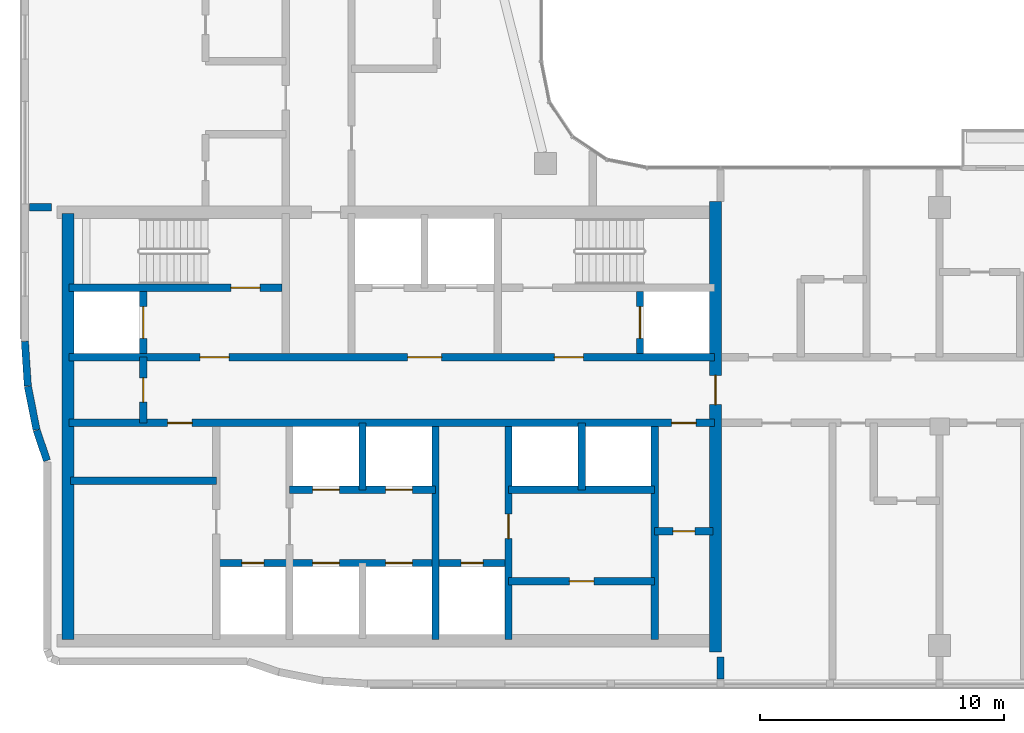
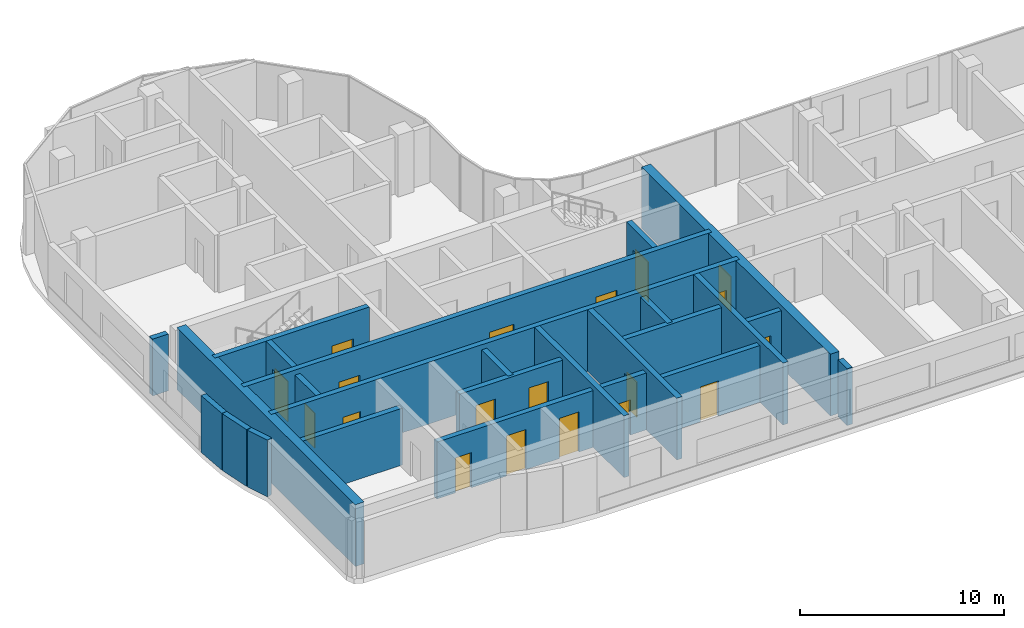
# One storey, part 9 of 19: 24 walls, 19 doors, 19 openings.
"""IFC4 building model written with IfcOpenShell, lengths in metres."""

from ifc_helpers import new_model, si_unit, direction, frame, frame_2d, origin, place, context, subcontext, project, spatial, rectangle, extrude, material, layer, layer_set, type_object, element, fill, save


model = new_model("IFC4")

# Units and contexts
model_context = context("Model", 3, precision=1e-05, world=origin(), true_north=direction((0.0, 1.0)))
body_context = subcontext(model_context, "Body", "Model", "MODEL_VIEW")
ifc_project = project(units=[si_unit("LENGTHUNIT", "METRE"), si_unit("AREAUNIT", "SQUARE_METRE"), si_unit("VOLUMEUNIT", "CUBIC_METRE"), si_unit("PLANEANGLEUNIT", "RADIAN"), si_unit("MASSUNIT", "GRAM", prefix="KILO")], contexts=[model_context])

# Site, building, storey
site_placement = place(None, origin())
site = spatial("IfcSite", under=ifc_project, at=site_placement, CompositionType="ELEMENT")
building_placement = place(site_placement, origin())
building = spatial("IfcBuilding", under=site, at=building_placement, Name="Ogive Portal Towers", CompositionType="ELEMENT")
storey_placement = place(building_placement, frame((0.0, 0.0, 199.5)))
storey = spatial("IfcBuildingStorey", under=building, at=storey_placement, Name="L49", CompositionType="ELEMENT", Elevation=199.5)

# Wall
ifc_material_1 = material(Name="Concrete C60/75", Category="concrete")
ifc_layer_1 = layer(ifc_material_1, 0.300048828125)
ifc_layer_set_1 = layer_set([ifc_layer_1], Name="CORE WALL 300 C60")
wall_type_1 = type_object("IfcWallType", Name="CORE WALL 300 C60", PredefinedType="SHEAR", material=ifc_layer_set_1)
wall_1_placement = place(storey_placement, frame((46.800048828125, 21.75, 0.0), z_axis=(0.0, 0.0, 1.0), x_axis=(0.0, 1.0, 0.0)))
element("IfcWall", 1, at=wall_1_placement, inside=storey, type_object=wall_type_1, Name="Core wall X3 L49", PredefinedType="SHEAR", context=body_context, shape_type="SweptSolid", body=[
    extrude(rectangle(XDim=8.75, YDim=0.300048828125, at=frame_2d((4.375, 0.0))), origin(), (0.0, 0.0, 1.0), 3.699951171875),
])

# Wall, opening, door
wall_2_placement = place(storey_placement, frame((49.800048828125, 21.75, 0.0), z_axis=(0.0, 0.0, 1.0), x_axis=(0.0, 1.0, 0.0)))
wall_2 = element("IfcWall", 2, at=wall_2_placement, inside=storey, type_object=wall_type_1, Name="Core wall X4 L49", PredefinedType="SHEAR", context=body_context, shape_type="SweptSolid", body=[
    extrude(rectangle(XDim=8.75, YDim=0.300048828125, at=frame_2d((4.375, 0.0))), origin(), (0.0, 0.0, 1.0), 3.699951171875),
])
opening_1_placement = place(wall_2_placement, frame((4.14990234375, 0.0, 0.0)))
opening_1 = element("IfcOpeningElement", 3, at=opening_1_placement, cuts=wall_2, Name="Opening D22-023", PredefinedType="OPENING", context=body_context, shape_type="SweptSolid", body=[
    extrude(rectangle(XDim=1.0, YDim=2.10009765625, at=frame_2d((0.5, 1.050048828125))), frame((0.0, 0.16015625, 0.0), z_axis=(0.0, -1.0, 0.0), x_axis=(1.0, 0.0, 0.0)), (0.0, 0.0, 1.0), 0.320068359375),
])
ifc_material_2 = material(Name="Steel fire door", Category="steel")
door_type_1 = type_object("IfcDoorType", Name="DT-SWING-1000x2100-FD90S", OperationType="SINGLE_SWING_LEFT", PredefinedType="DOOR", material=ifc_material_2)
door_1_placement = place(opening_1_placement, origin())
door_1 = element("IfcDoor", 4, at=door_1_placement, inside=storey, type_object=door_type_1, Name="Door D22-023", OperationType="SINGLE_SWING_LEFT", OverallHeight=2.10009765625, OverallWidth=1.0, PredefinedType="DOOR", context=body_context, shape_type="SweptSolid", body=[
    extrude(rectangle(XDim=1.0, YDim=2.10009765625, at=frame_2d((0.5, 1.050048828125))), frame((0.0, 0.02490234375, 0.0), z_axis=(0.0, -1.0, 0.0), x_axis=(1.0, 0.0, 0.0)), (0.0, 0.0, 1.0), 0.050048828125),
])
fill(opening_1, door_1)

# Wall
wall_3_placement = place(storey_placement, frame((55.800048828125, 21.75, 0.0), z_axis=(0.0, 0.0, 1.0), x_axis=(0.0, 1.0, 0.0)))
element("IfcWall", 5, at=wall_3_placement, inside=storey, type_object=wall_type_1, Name="Core wall X5 L49", PredefinedType="SHEAR", context=body_context, shape_type="SweptSolid", body=[
    extrude(rectangle(XDim=8.75, YDim=0.300048828125, at=frame_2d((4.375, 0.0))), origin(), (0.0, 0.0, 1.0), 3.699951171875),
])

# Wall, openings, doors
wall_4_placement = place(storey_placement, frame((31.75, 30.64990234375, 0.0), z_axis=(0.0, 0.0, 1.0), x_axis=(1.0, 0.0, 0.0)))
wall_4 = element("IfcWall", 6, at=wall_4_placement, inside=storey, type_object=wall_type_1, Name="Core wall Y1 L49", PredefinedType="SHEAR", context=body_context, shape_type="SweptSolid", body=[
    extrude(rectangle(XDim=26.5, YDim=0.300048828125, at=frame_2d((13.25, 0.0))), origin(), (0.0, 0.0, 1.0), 3.699951171875),
])
opening_2_placement = place(wall_4_placement, frame((24.75, 0.0, 0.0)))
opening_2 = element("IfcOpeningElement", 7, at=opening_2_placement, cuts=wall_4, Name="Opening D22-009", PredefinedType="OPENING", context=body_context, shape_type="SweptSolid", body=[
    extrude(rectangle(XDim=1.0, YDim=2.10009765625, at=frame_2d((0.5, 1.050048828125))), frame((0.0, 0.16015625, 0.0), z_axis=(0.0, -1.0, 0.0), x_axis=(1.0, 0.0, 0.0)), (0.0, 0.0, 1.0), 0.320068359375),
])
opening_3_placement = place(wall_4_placement, frame((4.050048828125, 0.0, 0.0)))
opening_3 = element("IfcOpeningElement", 8, at=opening_3_placement, cuts=wall_4, Name="Opening D22-021", PredefinedType="OPENING", context=body_context, shape_type="SweptSolid", body=[
    extrude(rectangle(XDim=1.0, YDim=2.10009765625, at=frame_2d((0.5, 1.050048828125))), frame((0.0, 0.16015625, 0.0), z_axis=(0.0, -1.0, 0.0), x_axis=(1.0, 0.0, 0.0)), (0.0, 0.0, 1.0), 0.320068359375),
])
door_2_placement = place(opening_2_placement, origin())
door_2 = element("IfcDoor", 9, at=door_2_placement, inside=storey, type_object=door_type_1, Name="Door D22-009", OperationType="SINGLE_SWING_LEFT", OverallHeight=2.10009765625, OverallWidth=1.0, PredefinedType="DOOR", context=body_context, shape_type="SweptSolid", body=[
    extrude(rectangle(XDim=1.0, YDim=2.10009765625, at=frame_2d((0.5, 1.050048828125))), frame((0.0, 0.02490234375, 0.0), z_axis=(0.0, -1.0, 0.0), x_axis=(1.0, 0.0, 0.0)), (0.0, 0.0, 1.0), 0.050048828125),
])
fill(opening_2, door_2)
door_3_placement = place(opening_3_placement, origin())
door_3 = element("IfcDoor", 10, at=door_3_placement, inside=storey, type_object=door_type_1, Name="Riser access door D22-021", OperationType="SINGLE_SWING_LEFT", OverallHeight=2.10009765625, OverallWidth=1.0, PredefinedType="DOOR", context=body_context, shape_type="SweptSolid", body=[
    extrude(rectangle(XDim=1.0, YDim=2.10009765625, at=frame_2d((0.5, 1.050048828125))), frame((0.0, 0.02490234375, 0.0), z_axis=(0.0, -1.0, 0.0), x_axis=(1.0, 0.0, 0.0)), (0.0, 0.0, 1.0), 0.050048828125),
])
fill(opening_3, door_3)

wall_5_placement = place(storey_placement, frame((31.75, 33.35009765625, 0.0), z_axis=(0.0, 0.0, 1.0), x_axis=(1.0, 0.0, 0.0)))
wall_5 = element("IfcWall", 11, at=wall_5_placement, inside=storey, type_object=wall_type_1, Name="Core wall Y2 L49", PredefinedType="SHEAR", context=body_context, shape_type="SweptSolid", body=[
    extrude(rectangle(XDim=26.5, YDim=0.300048828125, at=frame_2d((13.25, 0.0))), origin(), (0.0, 0.0, 1.0), 3.699951171875),
])
opening_4_placement = place(wall_5_placement, frame((13.89990234375, 0.0, 0.0)))
opening_4 = element("IfcOpeningElement", 12, at=opening_4_placement, cuts=wall_5, Name="Opening D22-002", PredefinedType="OPENING", context=body_context, shape_type="SweptSolid", body=[
    extrude(rectangle(XDim=1.39990234375, YDim=2.10009765625, at=frame_2d((0.699951171875, 1.050048828125))), frame((0.0, 0.16015625, 0.0), z_axis=(0.0, -1.0, 0.0), x_axis=(1.0, 0.0, 0.0)), (0.0, 0.0, 1.0), 0.320068359375),
])
opening_5_placement = place(wall_5_placement, frame((5.375, 0.0, 0.0)))
opening_5 = element("IfcOpeningElement", 13, at=opening_5_placement, cuts=wall_5, Name="Opening D22-003", PredefinedType="OPENING", context=body_context, shape_type="SweptSolid", body=[
    extrude(rectangle(XDim=1.199951171875, YDim=2.10009765625, at=frame_2d((0.60009765625, 1.050048828125))), frame((0.0, 0.16015625, 0.0), z_axis=(0.0, -1.0, 0.0), x_axis=(1.0, 0.0, 0.0)), (0.0, 0.0, 1.0), 0.320068359375),
])
opening_6_placement = place(wall_5_placement, frame((19.925048828125, 0.0, 0.0)))
opening_6 = element("IfcOpeningElement", 14, at=opening_6_placement, cuts=wall_5, Name="Opening D22-004", PredefinedType="OPENING", context=body_context, shape_type="SweptSolid", body=[
    extrude(rectangle(XDim=1.199951171875, YDim=2.10009765625, at=frame_2d((0.60009765625, 1.050048828125))), frame((0.0, 0.16015625, 0.0), z_axis=(0.0, -1.0, 0.0), x_axis=(1.0, 0.0, 0.0)), (0.0, 0.0, 1.0), 0.320068359375),
])
door_type_2 = type_object("IfcDoorType", Name="DT-SWING-1200x2100-FD90S", OperationType="SINGLE_SWING_LEFT", PredefinedType="DOOR", material=ifc_material_2)
door_4_placement = place(opening_5_placement, origin())
door_4 = element("IfcDoor", 15, at=door_4_placement, inside=storey, type_object=door_type_2, Name="Door D22-003", OperationType="SINGLE_SWING_LEFT", OverallHeight=2.10009765625, OverallWidth=1.199951171875, PredefinedType="DOOR", context=body_context, shape_type="SweptSolid", body=[
    extrude(rectangle(XDim=1.199951171875, YDim=2.10009765625, at=frame_2d((0.60009765625, 1.050048828125))), frame((0.0, 0.02490234375, 0.0), z_axis=(0.0, -1.0, 0.0), x_axis=(1.0, 0.0, 0.0)), (0.0, 0.0, 1.0), 0.050048828125),
])
fill(opening_5, door_4)
door_5_placement = place(opening_6_placement, origin())
door_5 = element("IfcDoor", 16, at=door_5_placement, inside=storey, type_object=door_type_2, Name="Door D22-004", OperationType="SINGLE_SWING_RIGHT", OverallHeight=2.10009765625, OverallWidth=1.199951171875, PredefinedType="DOOR", context=body_context, shape_type="SweptSolid", body=[
    extrude(rectangle(XDim=1.199951171875, YDim=2.10009765625, at=frame_2d((0.60009765625, 1.050048828125))), frame((0.0, 0.02490234375, 0.0), z_axis=(0.0, -1.0, 0.0), x_axis=(1.0, 0.0, 0.0)), (0.0, 0.0, 1.0), 0.050048828125),
])
fill(opening_6, door_5)
door_type_3 = type_object("IfcDoorType", Name="DT-SWING-1400x2100-FD90S", OperationType="SINGLE_SWING_LEFT", PredefinedType="DOOR", material=ifc_material_2)
door_6_placement = place(opening_4_placement, origin())
door_6 = element("IfcDoor", 17, at=door_6_placement, inside=storey, type_object=door_type_3, Name="Door D22-002", OperationType="SINGLE_SWING_RIGHT", OverallHeight=2.10009765625, OverallWidth=1.39990234375, PredefinedType="DOOR", context=body_context, shape_type="SweptSolid", body=[
    extrude(rectangle(XDim=1.39990234375, YDim=2.10009765625, at=frame_2d((0.699951171875, 1.050048828125))), frame((0.0, 0.02490234375, 0.0), z_axis=(0.0, -1.0, 0.0), x_axis=(1.0, 0.0, 0.0)), (0.0, 0.0, 1.0), 0.050048828125),
])
fill(opening_4, door_6)

# Wall, opening, door
wall_6_placement = place(storey_placement, frame((31.75, 36.199951171875, 0.0), z_axis=(0.0, 0.0, 1.0), x_axis=(1.0, 0.0, 0.0)))
wall_6 = element("IfcWall", 18, at=wall_6_placement, inside=storey, type_object=wall_type_1, Name="Core wall Y3a L49", PredefinedType="SHEAR", context=body_context, shape_type="SweptSolid", body=[
    extrude(rectangle(XDim=8.75, YDim=0.300048828125, at=frame_2d((4.375, 0.0))), origin(), (0.0, 0.0, 1.0), 3.699951171875),
])
opening_7_placement = place(wall_6_placement, frame((6.64990234375, 0.0, 0.0)))
opening_7 = element("IfcOpeningElement", 19, at=opening_7_placement, cuts=wall_6, Name="Opening D22-005", PredefinedType="OPENING", context=body_context, shape_type="SweptSolid", body=[
    extrude(rectangle(XDim=1.199951171875, YDim=2.10009765625, at=frame_2d((0.60009765625, 1.050048828125))), frame((0.0, 0.16015625, 0.0), z_axis=(0.0, -1.0, 0.0), x_axis=(1.0, 0.0, 0.0)), (0.0, 0.0, 1.0), 0.320068359375),
])
door_7_placement = place(opening_7_placement, origin())
door_7 = element("IfcDoor", 20, at=door_7_placement, inside=storey, type_object=door_type_2, Name="Door D22-005", OperationType="SINGLE_SWING_RIGHT", OverallHeight=2.10009765625, OverallWidth=1.199951171875, PredefinedType="DOOR", context=body_context, shape_type="SweptSolid", body=[
    extrude(rectangle(XDim=1.199951171875, YDim=2.10009765625, at=frame_2d((0.60009765625, 1.050048828125))), frame((0.0, 0.02490234375, 0.0), z_axis=(0.0, -1.0, 0.0), x_axis=(1.0, 0.0, 0.0)), (0.0, 0.0, 1.0), 0.050048828125),
])
fill(opening_7, door_7)

wall_7_placement = place(storey_placement, frame((34.800048828125, 33.5, 0.0), z_axis=(0.0, 0.0, 1.0), x_axis=(0.0, 1.0, 0.0)))
wall_7 = element("IfcWall", 21, at=wall_7_placement, inside=storey, type_object=wall_type_1, Name="Core wall X8 L49", PredefinedType="SHEAR", context=body_context, shape_type="SweptSolid", body=[
    extrude(rectangle(XDim=2.550048828125, YDim=0.300048828125, at=frame_2d((1.27490234375, 0.0))), origin(), (0.0, 0.0, 1.0), 3.699951171875),
])
opening_8_placement = place(wall_7_placement, frame((0.625, 0.0, 0.0)))
opening_8 = element("IfcOpeningElement", 22, at=opening_8_placement, cuts=wall_7, Name="Opening D22-019", PredefinedType="OPENING", context=body_context, shape_type="SweptSolid", body=[
    extrude(rectangle(XDim=1.300048828125, YDim=2.39990234375, at=frame_2d((0.64990234375, 1.199951171875))), frame((0.0, 0.16015625, 0.0), z_axis=(0.0, -1.0, 0.0), x_axis=(1.0, 0.0, 0.0)), (0.0, 0.0, 1.0), 0.320068359375),
])
ifc_material_3 = material(Name="Stainless steel", Category="steel")
door_type_4 = type_object("IfcDoorType", Name="DT-LD-1300x2400", OperationType="SLIDING_TO_LEFT", PredefinedType="DOOR", material=ifc_material_3)
door_8_placement = place(opening_8_placement, origin())
door_8 = element("IfcDoor", 23, at=door_8_placement, inside=storey, type_object=door_type_4, Name="Door D22-019", OperationType="SLIDING_TO_LEFT", OverallHeight=2.39990234375, OverallWidth=1.300048828125, PredefinedType="DOOR", context=body_context, shape_type="SweptSolid", body=[
    extrude(rectangle(XDim=1.300048828125, YDim=2.39990234375, at=frame_2d((0.64990234375, 1.199951171875))), frame((0.0, 0.02490234375, 0.0), z_axis=(0.0, -1.0, 0.0), x_axis=(1.0, 0.0, 0.0)), (0.0, 0.0, 1.0), 0.050048828125),
])
fill(opening_8, door_8)

wall_8_placement = place(storey_placement, frame((55.199951171875, 33.5, 0.0), z_axis=(0.0, 0.0, 1.0), x_axis=(0.0, 1.0, 0.0)))
wall_8 = element("IfcWall", 24, at=wall_8_placement, inside=storey, type_object=wall_type_1, Name="Core wall X10 L49", PredefinedType="SHEAR", context=body_context, shape_type="SweptSolid", body=[
    extrude(rectangle(XDim=2.550048828125, YDim=0.300048828125, at=frame_2d((1.27490234375, 0.0))), origin(), (0.0, 0.0, 1.0), 3.699951171875),
])
opening_9_placement = place(wall_8_placement, frame((0.625, 0.0, 0.0)))
opening_9 = element("IfcOpeningElement", 25, at=opening_9_placement, cuts=wall_8, Name="Opening D22-020", PredefinedType="OPENING", context=body_context, shape_type="SweptSolid", body=[
    extrude(rectangle(XDim=1.300048828125, YDim=2.39990234375, at=frame_2d((0.64990234375, 1.199951171875))), frame((0.0, 0.16015625, 0.0), z_axis=(0.0, -1.0, 0.0), x_axis=(1.0, 0.0, 0.0)), (0.0, 0.0, 1.0), 0.320068359375),
])
door_9_placement = place(opening_9_placement, origin())
door_9 = element("IfcDoor", 26, at=door_9_placement, inside=storey, type_object=door_type_4, Name="Door D22-020", OperationType="SLIDING_TO_LEFT", OverallHeight=2.39990234375, OverallWidth=1.300048828125, PredefinedType="DOOR", context=body_context, shape_type="SweptSolid", body=[
    extrude(rectangle(XDim=1.300048828125, YDim=2.39990234375, at=frame_2d((0.64990234375, 1.199951171875))), frame((0.0, 0.02490234375, 0.0), z_axis=(0.0, -1.0, 0.0), x_axis=(1.0, 0.0, 0.0)), (0.0, 0.0, 1.0), 0.050048828125),
])
fill(opening_9, door_9)

# Wall
ifc_layer_2 = layer(ifc_material_1, 0.5)
ifc_layer_set_2 = layer_set([ifc_layer_2], Name="CORE WALL 500 C60")
wall_type_2 = type_object("IfcWallType", Name="CORE WALL 500 C60", PredefinedType="SHEAR", material=ifc_layer_set_2)
wall_9_placement = place(storey_placement, frame((31.699951171875, 21.75, 0.0), z_axis=(0.0, 0.0, 1.0), x_axis=(0.0, 1.0, 0.0)))
element("IfcWall", 27, at=wall_9_placement, inside=storey, type_object=wall_type_2, Name="Core wall W L49", PredefinedType="SHEAR", context=body_context, shape_type="SweptSolid", body=[
    extrude(rectangle(XDim=17.5, YDim=0.5, at=frame_2d((8.75, 0.0))), origin(), (0.0, 0.0, 1.0), 3.699951171875),
])

# Wall, opening, door
wall_10_placement = place(storey_placement, frame((58.300048828125, 21.25, 0.0), z_axis=(0.0, 0.0, 1.0), x_axis=(0.0, 1.0, 0.0)))
wall_10 = element("IfcWall", 28, at=wall_10_placement, inside=storey, type_object=wall_type_2, Name="Core wall E L49", PredefinedType="SHEAR", context=body_context, shape_type="SweptSolid", body=[
    extrude(rectangle(XDim=18.5, YDim=0.5, at=frame_2d((9.25, 0.0))), origin(), (0.0, 0.0, 1.0), 3.699951171875),
])
opening_10_placement = place(wall_10_placement, frame((10.14990234375, 0.0, 0.0)))
opening_10 = element("IfcOpeningElement", 29, at=opening_10_placement, cuts=wall_10, Name="Opening D22-011", PredefinedType="OPENING", context=body_context, shape_type="SweptSolid", body=[
    extrude(rectangle(XDim=1.199951171875, YDim=2.10009765625, at=frame_2d((0.60009765625, 1.050048828125))), frame((0.0, 0.260009765625, 0.0), z_axis=(0.0, -1.0, 0.0), x_axis=(1.0, 0.0, 0.0)), (0.0, 0.0, 1.0), 0.52001953125),
])
door_10_placement = place(opening_10_placement, origin())
door_10 = element("IfcDoor", 30, at=door_10_placement, inside=storey, type_object=door_type_2, Name="Door D22-011", OperationType="SINGLE_SWING_LEFT", OverallHeight=2.10009765625, OverallWidth=1.199951171875, PredefinedType="DOOR", context=body_context, shape_type="SweptSolid", body=[
    extrude(rectangle(XDim=1.199951171875, YDim=2.10009765625, at=frame_2d((0.60009765625, 1.050048828125))), frame((0.0, 0.02490234375, 0.0), z_axis=(0.0, -1.0, 0.0), x_axis=(1.0, 0.0, 0.0)), (0.0, 0.0, 1.0), 0.050048828125),
])
fill(opening_10, door_10)

# Walls
ifc_material_4 = material(Name="Limestone cladding on lightweight block wall", Category="masonry")
ifc_layer_3 = layer(ifc_material_4, 0.300048828125)
ifc_layer_set_3 = layer_set([ifc_layer_3], Name="EXTERNAL WALL 300 STONE")
wall_type_3 = type_object("IfcWallType", Name="EXTERNAL WALL 300 STONE", PredefinedType="SOLIDWALL", material=ifc_layer_set_3)
wall_11_placement = place(storey_placement, frame((29.935302734375, 34.0, 0.0), z_axis=(0.0, 0.0, 1.0), x_axis=(0.065376617685, -0.997860660543, 0.0)))
element("IfcWall", 31, at=wall_11_placement, inside=storey, type_object=wall_type_3, Name="A:L49:f26:r0:wall", PredefinedType="SOLIDWALL", context=body_context, shape_type="SweptSolid", body=[
    extrude(rectangle(XDim=1.829833984375, YDim=0.300048828125, at=frame_2d((0.9150390625, 0.0))), origin(), (0.0, 0.0, 1.0), 3.39990234375),
])
wall_12_placement = place(storey_placement, frame((30.0576171875, 32.154541015625, 0.0), z_axis=(0.0, 0.0, 1.0), x_axis=(0.195032615553, -0.980796757168, 0.0)))
element("IfcWall", 32, at=wall_12_placement, inside=storey, type_object=wall_type_3, Name="A:L49:f27:r0:wall", PredefinedType="SOLIDWALL", context=body_context, shape_type="SweptSolid", body=[
    extrude(rectangle(XDim=1.820068359375, YDim=0.300048828125, at=frame_2d((0.91015625, 0.0))), origin(), (0.0, 0.0, 1.0), 3.39990234375),
])
wall_13_placement = place(storey_placement, frame((30.417724609375, 30.3505859375, 0.0), z_axis=(0.0, 0.0, 1.0), x_axis=(0.32143850255, -0.946930456305, 0.0)))
element("IfcWall", 33, at=wall_13_placement, inside=storey, type_object=wall_type_3, Name="A:L49:f28:r0:wall", PredefinedType="SOLIDWALL", context=body_context, shape_type="SweptSolid", body=[
    extrude(rectangle(XDim=1.320068359375, YDim=0.300048828125, at=frame_2d((0.66015625, 0.0))), origin(), (0.0, 0.0, 1.0), 3.39990234375),
])

# Wall, opening, door
ifc_material_5 = material(Name="Gypsum board partition on steel studs", Category="steel")
ifc_layer_4 = layer(ifc_material_5, 0.300048828125)
ifc_layer_set_4 = layer_set([ifc_layer_4], Name="WT-PART-300")
wall_type_4 = type_object("IfcWallType", Name="WT-PART-300", PredefinedType="PARTITIONING", material=ifc_layer_set_4)
wall_14_placement = place(storey_placement, frame((49.800048828125, 24.14990234375, 0.0), z_axis=(0.0, 0.0, 1.0), x_axis=(1.0, 0.0, 0.0)))
wall_14 = element("IfcWall", 34, at=wall_14_placement, inside=storey, type_object=wall_type_4, Name="Wall pw:001:L49", PredefinedType="PARTITIONING", context=body_context, shape_type="SweptSolid", body=[
    extrude(rectangle(XDim=6.0, YDim=0.300048828125, at=frame_2d((3.0, 0.0))), origin(), (0.0, 0.0, 1.0), 3.39990234375),
])
opening_11_placement = place(wall_14_placement, frame((2.5, 0.0, 0.0)))
opening_11 = element("IfcOpeningElement", 35, at=opening_11_placement, cuts=wall_14, Name="Opening D22-024", PredefinedType="OPENING", context=body_context, shape_type="SweptSolid", body=[
    extrude(rectangle(XDim=1.0, YDim=2.10009765625, at=frame_2d((0.5, 1.050048828125))), frame((0.0, 0.16015625, 0.0), z_axis=(0.0, -1.0, 0.0), x_axis=(1.0, 0.0, 0.0)), (0.0, 0.0, 1.0), 0.320068359375),
])
door_type_5 = type_object("IfcDoorType", Name="DT-SWING-1000x2100-FD60S", OperationType="SINGLE_SWING_LEFT", PredefinedType="DOOR", material=ifc_material_2)
door_11_placement = place(opening_11_placement, origin())
door_11 = element("IfcDoor", 36, at=door_11_placement, inside=storey, type_object=door_type_5, Name="Door D22-024", OperationType="SINGLE_SWING_RIGHT", OverallHeight=2.10009765625, OverallWidth=1.0, PredefinedType="DOOR", context=body_context, shape_type="SweptSolid", body=[
    extrude(rectangle(XDim=1.0, YDim=2.10009765625, at=frame_2d((0.5, 1.050048828125))), frame((0.0, 0.02490234375, 0.0), z_axis=(0.0, -1.0, 0.0), x_axis=(1.0, 0.0, 0.0)), (0.0, 0.0, 1.0), 0.050048828125),
])
fill(opening_11, door_11)

wall_15_placement = place(storey_placement, frame((55.800048828125, 26.199951171875, 0.0), z_axis=(0.0, 0.0, 1.0), x_axis=(1.0, 0.0, 0.0)))
wall_15 = element("IfcWall", 37, at=wall_15_placement, inside=storey, type_object=wall_type_4, Name="Wall pw:003:L49", PredefinedType="PARTITIONING", context=body_context, shape_type="SweptSolid", body=[
    extrude(rectangle(XDim=2.39990234375, YDim=0.300048828125, at=frame_2d((1.199951171875, 0.0))), origin(), (0.0, 0.0, 1.0), 3.39990234375),
])
opening_12_placement = place(wall_15_placement, frame((0.75, 0.0, 0.0)))
opening_12 = element("IfcOpeningElement", 38, at=opening_12_placement, cuts=wall_15, Name="Opening D22-010", PredefinedType="OPENING", context=body_context, shape_type="SweptSolid", body=[
    extrude(rectangle(XDim=0.89990234375, YDim=2.10009765625, at=frame_2d((0.449951171875, 1.050048828125))), frame((0.0, 0.16015625, 0.0), z_axis=(0.0, -1.0, 0.0), x_axis=(1.0, 0.0, 0.0)), (0.0, 0.0, 1.0), 0.320068359375),
])
door_type_6 = type_object("IfcDoorType", Name="DT-SWING-900x2100-FD60S", OperationType="SINGLE_SWING_LEFT", PredefinedType="DOOR", material=ifc_material_2)
door_12_placement = place(opening_12_placement, origin())
door_12 = element("IfcDoor", 39, at=door_12_placement, inside=storey, type_object=door_type_6, Name="Door D22-010", OperationType="SINGLE_SWING_RIGHT", OverallHeight=2.10009765625, OverallWidth=0.89990234375, PredefinedType="DOOR", context=body_context, shape_type="SweptSolid", body=[
    extrude(rectangle(XDim=0.89990234375, YDim=2.10009765625, at=frame_2d((0.449951171875, 1.050048828125))), frame((0.0, 0.02490234375, 0.0), z_axis=(0.0, -1.0, 0.0), x_axis=(1.0, 0.0, 0.0)), (0.0, 0.0, 1.0), 0.050048828125),
])
fill(opening_12, door_12)

# Walls
wall_16_placement = place(storey_placement, frame((31.800048828125, 28.277099609375, 0.0), z_axis=(0.0, 0.0, 1.0), x_axis=(1.0, 0.0, 0.0)))
element("IfcWall", 40, at=wall_16_placement, inside=storey, type_object=wall_type_4, Name="Wall pw:006:L49", PredefinedType="PARTITIONING", context=body_context, shape_type="SweptSolid", body=[
    extrude(rectangle(XDim=6.0, YDim=0.300048828125, at=frame_2d((3.0, 0.0))), origin(), (0.0, 0.0, 1.0), 3.39990234375),
])
ifc_layer_5 = layer(ifc_material_5, 0.300048828125)
ifc_layer_set_5 = layer_set([ifc_layer_5], Name="WT-PART-300-EI 60")
wall_type_5 = type_object("IfcWallType", Name="WT-PART-300-EI 60", PredefinedType="PARTITIONING", material=ifc_layer_set_5)
for number, where, z_axis, x_axis, name in (
    (41, (30.135009765625, 39.5, 0.0), (0.0, 0.0, 1.0), (1.0, 0.0, 0.0), "Wall L49:w012"),
    (42, (58.5, 20.135009765625, 0.0), (0.0, 0.0, 1.0), (0.0, 1.0, 0.0), "Wall L49:w034"),
):
    element("IfcWall", number, at=place(storey_placement, frame(where, z_axis=z_axis, x_axis=x_axis)), inside=storey, type_object=wall_type_5, Name=name, PredefinedType="PARTITIONING", context=body_context, shape_type="SweptSolid", body=[
        extrude(rectangle(XDim=0.89501953125, YDim=0.300048828125, at=frame_2d((0.447509765625, 0.0))), origin(), (0.0, 0.0, 1.0), 3.39990234375),
    ])

# Wall, openings, doors
ifc_material_6 = material(Name="Concrete C40/50", Category="concrete")
ifc_layer_6 = layer(ifc_material_6, 0.300048828125)
ifc_layer_set_6 = layer_set([ifc_layer_6], Name="WT-SHAFT-300")
wall_type_6 = type_object("IfcWallType", Name="WT-SHAFT-300", PredefinedType="SOLIDWALL", material=ifc_layer_set_6)
wall_17_placement = place(storey_placement, frame((37.800048828125, 24.89990234375, 0.0), z_axis=(0.0, 0.0, 1.0), x_axis=(1.0, 0.0, 0.0)))
wall_17 = element("IfcWall", 43, at=wall_17_placement, inside=storey, type_object=wall_type_6, Name="Wall pw:002:L49", PredefinedType="SOLIDWALL", context=body_context, shape_type="SweptSolid", body=[
    extrude(rectangle(XDim=12.0, YDim=0.300048828125, at=frame_2d((6.0, 0.0))), origin(), (0.0, 0.0, 1.0), 3.39990234375),
])
opening_13_placement = place(wall_17_placement, frame((1.050048828125, 0.0, 0.0)))
opening_13 = element("IfcOpeningElement", 44, at=opening_13_placement, cuts=wall_17, Name="Opening D22-007", PredefinedType="OPENING", context=body_context, shape_type="SweptSolid", body=[
    extrude(rectangle(XDim=0.89990234375, YDim=2.10009765625, at=frame_2d((0.449951171875, 1.050048828125))), frame((0.0, 0.16015625, 0.0), z_axis=(0.0, -1.0, 0.0), x_axis=(1.0, 0.0, 0.0)), (0.0, 0.0, 1.0), 0.320068359375),
])
opening_14_placement = place(wall_17_placement, frame((10.050048828125, 0.0, 0.0)))
opening_14 = element("IfcOpeningElement", 45, at=opening_14_placement, cuts=wall_17, Name="Opening D22-008", PredefinedType="OPENING", context=body_context, shape_type="SweptSolid", body=[
    extrude(rectangle(XDim=0.89990234375, YDim=2.10009765625, at=frame_2d((0.449951171875, 1.050048828125))), frame((0.0, 0.16015625, 0.0), z_axis=(0.0, -1.0, 0.0), x_axis=(1.0, 0.0, 0.0)), (0.0, 0.0, 1.0), 0.320068359375),
])
opening_15_placement = place(wall_17_placement, frame((3.949951171875, 0.0, 0.0)))
opening_15 = element("IfcOpeningElement", 46, at=opening_15_placement, cuts=wall_17, Name="Opening D22-013", PredefinedType="OPENING", context=body_context, shape_type="SweptSolid", body=[
    extrude(rectangle(XDim=1.10009765625, YDim=2.39990234375, at=frame_2d((0.550048828125, 1.199951171875))), frame((0.0, 0.16015625, 0.0), z_axis=(0.0, -1.0, 0.0), x_axis=(1.0, 0.0, 0.0)), (0.0, 0.0, 1.0), 0.320068359375),
])
opening_16_placement = place(wall_17_placement, frame((6.949951171875, 0.0, 0.0)))
opening_16 = element("IfcOpeningElement", 47, at=opening_16_placement, cuts=wall_17, Name="Opening D22-014", PredefinedType="OPENING", context=body_context, shape_type="SweptSolid", body=[
    extrude(rectangle(XDim=1.10009765625, YDim=2.39990234375, at=frame_2d((0.550048828125, 1.199951171875))), frame((0.0, 0.16015625, 0.0), z_axis=(0.0, -1.0, 0.0), x_axis=(1.0, 0.0, 0.0)), (0.0, 0.0, 1.0), 0.320068359375),
])
door_type_7 = type_object("IfcDoorType", Name="DT-LD-1100x2400", OperationType="SLIDING_TO_LEFT", PredefinedType="DOOR", material=ifc_material_3)
door_13_placement = place(opening_15_placement, origin())
door_13 = element("IfcDoor", 48, at=door_13_placement, inside=storey, type_object=door_type_7, Name="Door D22-013", OperationType="SLIDING_TO_LEFT", OverallHeight=2.39990234375, OverallWidth=1.10009765625, PredefinedType="DOOR", context=body_context, shape_type="SweptSolid", body=[
    extrude(rectangle(XDim=1.10009765625, YDim=2.39990234375, at=frame_2d((0.550048828125, 1.199951171875))), frame((0.0, 0.02490234375, 0.0), z_axis=(0.0, -1.0, 0.0), x_axis=(1.0, 0.0, 0.0)), (0.0, 0.0, 1.0), 0.050048828125),
])
fill(opening_15, door_13)
door_14_placement = place(opening_16_placement, origin())
door_14 = element("IfcDoor", 49, at=door_14_placement, inside=storey, type_object=door_type_7, Name="Door D22-014", OperationType="SLIDING_TO_LEFT", OverallHeight=2.39990234375, OverallWidth=1.10009765625, PredefinedType="DOOR", context=body_context, shape_type="SweptSolid", body=[
    extrude(rectangle(XDim=1.10009765625, YDim=2.39990234375, at=frame_2d((0.550048828125, 1.199951171875))), frame((0.0, 0.02490234375, 0.0), z_axis=(0.0, -1.0, 0.0), x_axis=(1.0, 0.0, 0.0)), (0.0, 0.0, 1.0), 0.050048828125),
])
fill(opening_16, door_14)
door_type_8 = type_object("IfcDoorType", Name="DT-SWING-900x2100-FD90S", OperationType="SINGLE_SWING_LEFT", PredefinedType="DOOR", material=ifc_material_2)
door_15_placement = place(opening_13_placement, origin())
door_15 = element("IfcDoor", 50, at=door_15_placement, inside=storey, type_object=door_type_8, Name="Riser access door D22-007", OperationType="SINGLE_SWING_LEFT", OverallHeight=2.10009765625, OverallWidth=0.89990234375, PredefinedType="DOOR", context=body_context, shape_type="SweptSolid", body=[
    extrude(rectangle(XDim=0.89990234375, YDim=2.10009765625, at=frame_2d((0.449951171875, 1.050048828125))), frame((0.0, 0.02490234375, 0.0), z_axis=(0.0, -1.0, 0.0), x_axis=(1.0, 0.0, 0.0)), (0.0, 0.0, 1.0), 0.050048828125),
])
fill(opening_13, door_15)
door_16_placement = place(opening_14_placement, origin())
door_16 = element("IfcDoor", 51, at=door_16_placement, inside=storey, type_object=door_type_8, Name="Riser access door D22-008", OperationType="SINGLE_SWING_RIGHT", OverallHeight=2.10009765625, OverallWidth=0.89990234375, PredefinedType="DOOR", context=body_context, shape_type="SweptSolid", body=[
    extrude(rectangle(XDim=0.89990234375, YDim=2.10009765625, at=frame_2d((0.449951171875, 1.050048828125))), frame((0.0, 0.02490234375, 0.0), z_axis=(0.0, -1.0, 0.0), x_axis=(1.0, 0.0, 0.0)), (0.0, 0.0, 1.0), 0.050048828125),
])
fill(opening_14, door_16)

wall_18_placement = place(storey_placement, frame((40.800048828125, 27.89990234375, 0.0), z_axis=(0.0, 0.0, 1.0), x_axis=(1.0, 0.0, 0.0)))
wall_18 = element("IfcWall", 52, at=wall_18_placement, inside=storey, type_object=wall_type_6, Name="Wall pw:004:L49", PredefinedType="SOLIDWALL", context=body_context, shape_type="SweptSolid", body=[
    extrude(rectangle(XDim=6.0, YDim=0.300048828125, at=frame_2d((3.0, 0.0))), origin(), (0.0, 0.0, 1.0), 3.39990234375),
])
opening_17_placement = place(wall_18_placement, frame((0.949951171875, 0.0, 0.0)))
opening_17 = element("IfcOpeningElement", 53, at=opening_17_placement, cuts=wall_18, Name="Opening D22-015", PredefinedType="OPENING", context=body_context, shape_type="SweptSolid", body=[
    extrude(rectangle(XDim=1.10009765625, YDim=2.39990234375, at=frame_2d((0.550048828125, 1.199951171875))), frame((0.0, 0.16015625, 0.0), z_axis=(0.0, -1.0, 0.0), x_axis=(1.0, 0.0, 0.0)), (0.0, 0.0, 1.0), 0.320068359375),
])
opening_18_placement = place(wall_18_placement, frame((3.949951171875, 0.0, 0.0)))
opening_18 = element("IfcOpeningElement", 54, at=opening_18_placement, cuts=wall_18, Name="Opening D22-016", PredefinedType="OPENING", context=body_context, shape_type="SweptSolid", body=[
    extrude(rectangle(XDim=1.10009765625, YDim=2.39990234375, at=frame_2d((0.550048828125, 1.199951171875))), frame((0.0, 0.16015625, 0.0), z_axis=(0.0, -1.0, 0.0), x_axis=(1.0, 0.0, 0.0)), (0.0, 0.0, 1.0), 0.320068359375),
])
door_17_placement = place(opening_17_placement, origin())
door_17 = element("IfcDoor", 55, at=door_17_placement, inside=storey, type_object=door_type_7, Name="Door D22-015", OperationType="SLIDING_TO_LEFT", OverallHeight=2.39990234375, OverallWidth=1.10009765625, PredefinedType="DOOR", context=body_context, shape_type="SweptSolid", body=[
    extrude(rectangle(XDim=1.10009765625, YDim=2.39990234375, at=frame_2d((0.550048828125, 1.199951171875))), frame((0.0, 0.02490234375, 0.0), z_axis=(0.0, -1.0, 0.0), x_axis=(1.0, 0.0, 0.0)), (0.0, 0.0, 1.0), 0.050048828125),
])
fill(opening_17, door_17)
door_18_placement = place(opening_18_placement, origin())
door_18 = element("IfcDoor", 56, at=door_18_placement, inside=storey, type_object=door_type_7, Name="Door D22-016", OperationType="SLIDING_TO_LEFT", OverallHeight=2.39990234375, OverallWidth=1.10009765625, PredefinedType="DOOR", context=body_context, shape_type="SweptSolid", body=[
    extrude(rectangle(XDim=1.10009765625, YDim=2.39990234375, at=frame_2d((0.550048828125, 1.199951171875))), frame((0.0, 0.02490234375, 0.0), z_axis=(0.0, -1.0, 0.0), x_axis=(1.0, 0.0, 0.0)), (0.0, 0.0, 1.0), 0.050048828125),
])
fill(opening_18, door_18)

# Wall
wall_19_placement = place(storey_placement, frame((49.800048828125, 27.89990234375, 0.0), z_axis=(0.0, 0.0, 1.0), x_axis=(1.0, 0.0, 0.0)))
element("IfcWall", 57, at=wall_19_placement, inside=storey, type_object=wall_type_6, Name="Wall pw:005:L49", PredefinedType="SOLIDWALL", context=body_context, shape_type="SweptSolid", body=[
    extrude(rectangle(XDim=6.0, YDim=0.300048828125, at=frame_2d((3.0, 0.0))), origin(), (0.0, 0.0, 1.0), 3.39990234375),
])

# Wall, opening, door
wall_20_placement = place(storey_placement, frame((34.800048828125, 30.64990234375, 0.0), z_axis=(0.0, 0.0, 1.0), x_axis=(0.0, 1.0, 0.0)))
wall_20 = element("IfcWall", 58, at=wall_20_placement, inside=storey, type_object=wall_type_6, Name="Wall pw:007:L49", PredefinedType="SOLIDWALL", context=body_context, shape_type="SweptSolid", body=[
    extrude(rectangle(XDim=2.7001953125, YDim=0.300048828125, at=frame_2d((1.35009765625, 0.0))), origin(), (0.0, 0.0, 1.0), 3.39990234375),
])
opening_19_placement = place(wall_20_placement, frame((0.85009765625, 0.0, 0.0)))
opening_19 = element("IfcOpeningElement", 59, at=opening_19_placement, cuts=wall_20, Name="Opening D22-025", PredefinedType="OPENING", context=body_context, shape_type="SweptSolid", body=[
    extrude(rectangle(XDim=1.0, YDim=2.10009765625, at=frame_2d((0.5, 1.050048828125))), frame((0.0, 0.16015625, 0.0), z_axis=(0.0, -1.0, 0.0), x_axis=(1.0, 0.0, 0.0)), (0.0, 0.0, 1.0), 0.320068359375),
])
door_19_placement = place(opening_19_placement, origin())
door_19 = element("IfcDoor", 60, at=door_19_placement, inside=storey, type_object=door_type_1, Name="Door D22-025", OperationType="SINGLE_SWING_LEFT", OverallHeight=2.10009765625, OverallWidth=1.0, PredefinedType="DOOR", context=body_context, shape_type="SweptSolid", body=[
    extrude(rectangle(XDim=1.0, YDim=2.10009765625, at=frame_2d((0.5, 1.050048828125))), frame((0.0, 0.02490234375, 0.0), z_axis=(0.0, -1.0, 0.0), x_axis=(1.0, 0.0, 0.0)), (0.0, 0.0, 1.0), 0.050048828125),
])
fill(opening_19, door_19)

# Walls
for number, where, z_axis, x_axis, name in (
    (61, (43.800048828125, 27.89990234375, 0.0), (0.0, 0.0, 1.0), (0.0, 1.0, 0.0), "Wall pw:009:L49"),
    (62, (52.800048828125, 27.89990234375, 0.0), (0.0, 0.0, 1.0), (0.0, 1.0, 0.0), "Wall pw:011:L49"),
):
    element("IfcWall", number, at=place(storey_placement, frame(where, z_axis=z_axis, x_axis=x_axis)), inside=storey, type_object=wall_type_6, Name=name, PredefinedType="SOLIDWALL", context=body_context, shape_type="SweptSolid", body=[
        extrude(rectangle(XDim=2.75, YDim=0.300048828125, at=frame_2d((1.375, 0.0))), origin(), (0.0, 0.0, 1.0), 3.39990234375),
    ])

save(model, "model.ifc")
